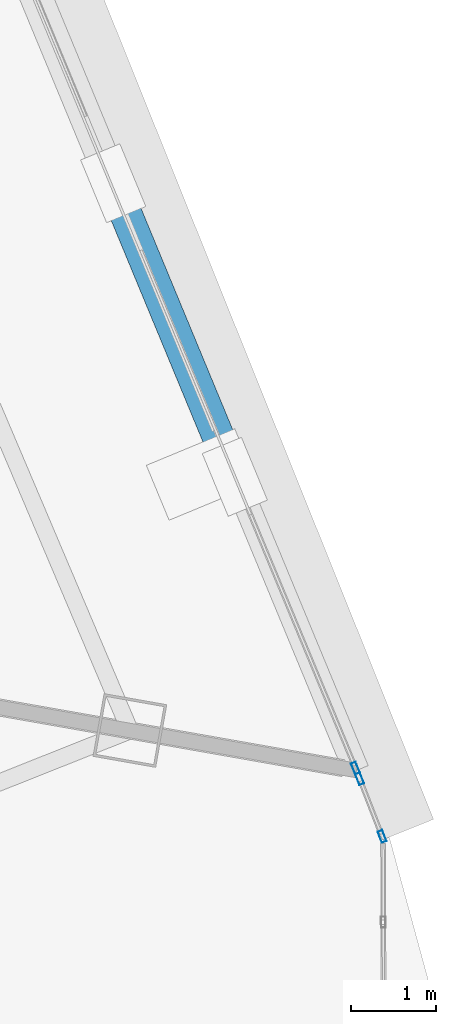
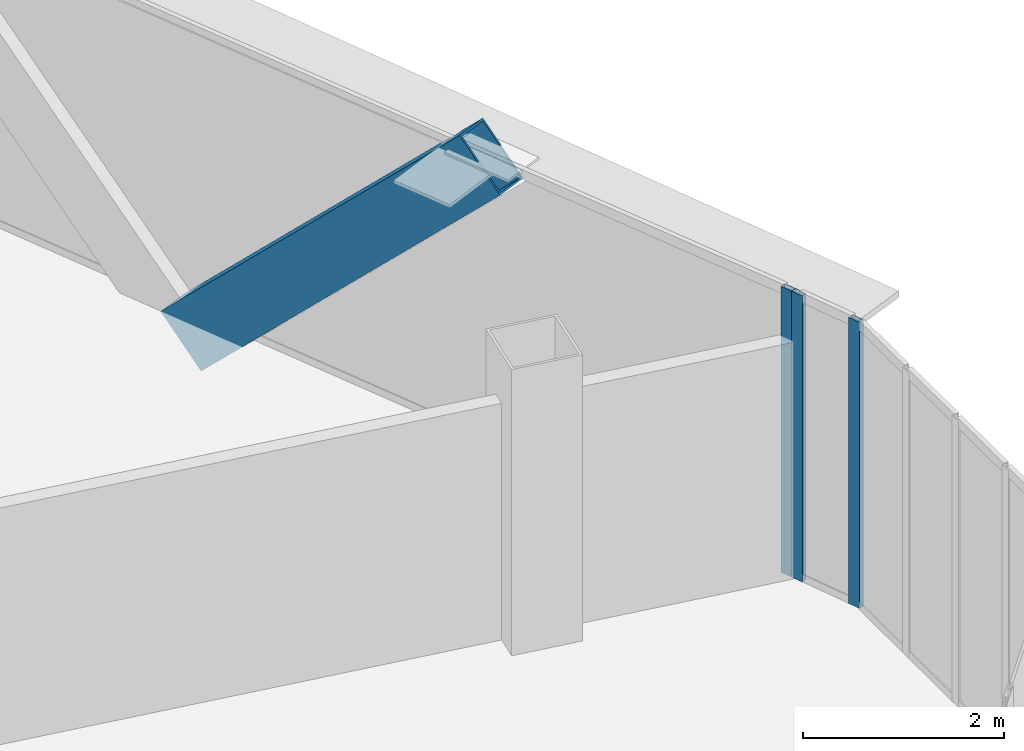
# One storey, part 16 of 39: 4 members, 2 elements without a shape of their own.
"""IFC4 building model written with IfcOpenShell, lengths in metres."""

from ifc_helpers import new_model, si_unit, direction, frame, origin, origin_2d, place, context, subcontext, project, spatial, hollow_rectangle, extrude, source, transform, mapped, material, layer, layer_set, material_profile, profile_set, type_object, element, aggregate, save


model = new_model("IFC4")

# Units and contexts
model_context = context("Model", 3, precision=1e-05, world=origin(), true_north=direction((0.0, 1.0)))
body_context = subcontext(model_context, "Body", "Model", "MODEL_VIEW")
ifc_project = project(units=[si_unit("LENGTHUNIT", "METRE"), si_unit("AREAUNIT", "SQUARE_METRE"), si_unit("VOLUMEUNIT", "CUBIC_METRE"), si_unit("PLANEANGLEUNIT", "RADIAN"), si_unit("MASSUNIT", "GRAM", prefix="KILO"), si_unit("THERMODYNAMICTEMPERATUREUNIT", "KELVIN"), si_unit("POWERUNIT", "WATT")], contexts=[model_context])

# Site, building, storey
site_placement = place(None, origin())
site = spatial("IfcSite", under=ifc_project, at=site_placement, CompositionType="ELEMENT")
building_placement = place(site_placement, origin())
building = spatial("IfcBuilding", under=site, at=building_placement, Name="Yunzhuo Pagoda Commons", CompositionType="ELEMENT")
storey_placement = place(building_placement, frame((0.0, 0.0, 296.2099609375)))
storey = spatial("IfcBuildingStorey", under=building, at=storey_placement, Name="L74", CompositionType="ELEMENT", Elevation=296.2099609375)

# Member
ifc_material_1 = material(Name="Structural steel Q355B", Category="steel")
ifc_material_profile_1 = material_profile(ifc_material_1, hollow_rectangle(XDim=0.3798828125, YDim=0.719970703125, WallThickness=0.02001953125, at=origin_2d()), Name="Structural steel Q355B")
ifc_profile_set_1 = profile_set([ifc_material_profile_1], Name="Structural steel Q355B")
member_type_1 = type_object("IfcMemberType", Name="M-DL3 Brace BOX 720x380x20", PredefinedType="BRACE", material=ifc_profile_set_1)
shared_shape_1 = source(origin(), body_context, "Body", "SweptSolid", [
    extrude(hollow_rectangle(XDim=0.3798828125, YDim=0.719970703125, WallThickness=0.02001953125, at=origin_2d()), origin(), (0.0, 0.0, 1.0), 5.2861328125),
])
member_1_placement = place(storey_placement, frame((76.46533203125, 35.0966796875, -0.260009765625), z_axis=(0.271150627037, -0.654668734159, 0.705610505854), x_axis=(0.923890529664, 0.38265688181, 0.0)))
element("IfcMember", 1, at=member_1_placement, inside=storey, type_object=member_type_1, Name="L74 facade diamond brace F2.1L", PredefinedType="BRACE", context=body_context, shape_type="MappedRepresentation", body=[
    mapped(shared_shape_1, transform((0.0, 0.0, 0.0), scale=1.0)),
])

# Curtain wall, member
ifc_material_2 = material(Name="Anodized aluminium 6063-T6", Category="aluminium")
ifc_layer = layer(ifc_material_2, 0.139892578125)
ifc_layer_set = layer_set([ifc_layer], Name="Anodized aluminium 6063-T6")
curtain_wall_type = type_object("IfcCurtainWallType", Name="CW-HI High-Zone Ribbon Curtain Wall", PredefinedType="NOTDEFINED", material=ifc_layer_set)
curtain_wall_1_placement = place(storey_placement, origin())
curtain_wall_1 = element("IfcCurtainWall", 2, at=curtain_wall_1_placement, inside=storey, type_object=curtain_wall_type, Name="L74 curtain wall CW-L74-F2B2", PredefinedType="NOTDEFINED")
ifc_material_profile_2 = material_profile(ifc_material_2, hollow_rectangle(XDim=0.06005859375, YDim=0.139892578125, WallThickness=0.00341796875, at=origin_2d()), Name="Anodized aluminium 6063-T6")
ifc_profile_set_2 = profile_set([ifc_material_profile_2], Name="Anodized aluminium 6063-T6")
member_type_2 = type_object("IfcMemberType", Name="CW-HI-M Mullion RHS 140x60x3.5", PredefinedType="MULLION", material=ifc_profile_set_2)
shared_shape_2 = source(origin(), body_context, "Body", "SweptSolid", [
    extrude(hollow_rectangle(XDim=0.06005859375, YDim=0.139892578125, WallThickness=0.00341796875, at=origin_2d()), origin(), (0.0, 0.0, 1.0), 3.469970703125),
])
member_2_placement = place(storey_placement, frame((79.320556640625, 28.203125, 0.0), z_axis=(0.0, 0.0, 1.0), x_axis=(-0.923899046183, -0.382636318796, 0.0)))
member_2 = element("IfcMember", 3, at=member_2_placement, type_object=member_type_2, Name="CW mullion 1", PredefinedType="MULLION", context=body_context, shape_type="MappedRepresentation", body=[
    mapped(shared_shape_2, transform((0.0, 0.0, 0.0), scale=1.0)),
])
aggregate(curtain_wall_1, [member_2])

# Curtain wall, members
curtain_wall_2_placement = place(storey_placement, origin())
curtain_wall_2 = element("IfcCurtainWall", 4, at=curtain_wall_2_placement, inside=storey, type_object=curtain_wall_type, Name="L74 curtain wall CW-L74-F2B1", PredefinedType="NOTDEFINED")
member_3_placement = place(storey_placement, frame((79.63427734375, 27.398193359375, 0.0), z_axis=(0.0, 0.0, 1.0), x_axis=(-0.931923767987, -0.36265423017, 0.0)))
member_3 = element("IfcMember", 5, at=member_3_placement, type_object=member_type_2, Name="CW mullion 1", PredefinedType="MULLION", context=body_context, shape_type="MappedRepresentation", body=[
    mapped(shared_shape_2, transform((0.0, 0.0, 0.0), scale=1.0)),
])
member_4_placement = place(storey_placement, frame((79.369873046875, 28.07763671875, 0.0), z_axis=(0.0, 0.0, 1.0), x_axis=(-0.931923767987, -0.36265423017, 0.0)))
member_4 = element("IfcMember", 6, at=member_4_placement, type_object=member_type_2, Name="CW mullion 2", PredefinedType="MULLION", context=body_context, shape_type="MappedRepresentation", body=[
    mapped(shared_shape_2, transform((0.0, 0.0, 0.0), scale=1.0)),
])
aggregate(curtain_wall_2, [member_3, member_4])

save(model, "model.ifc")
